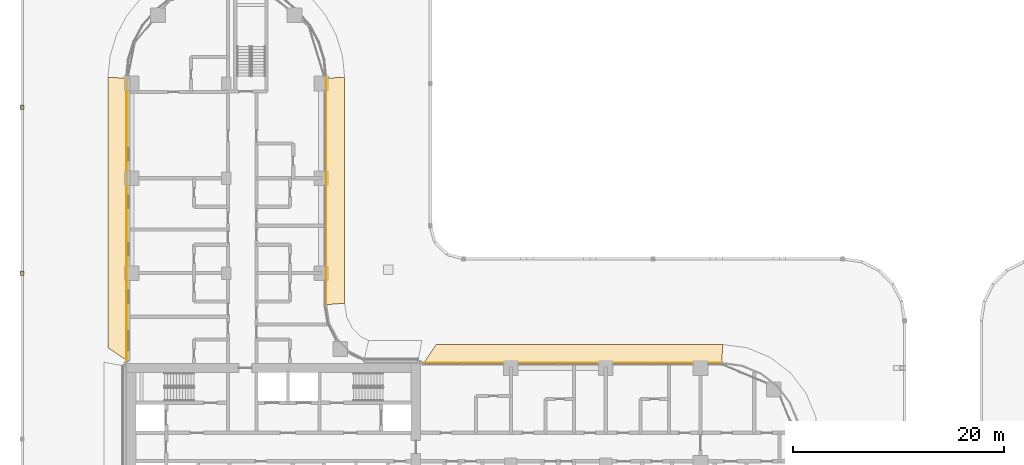
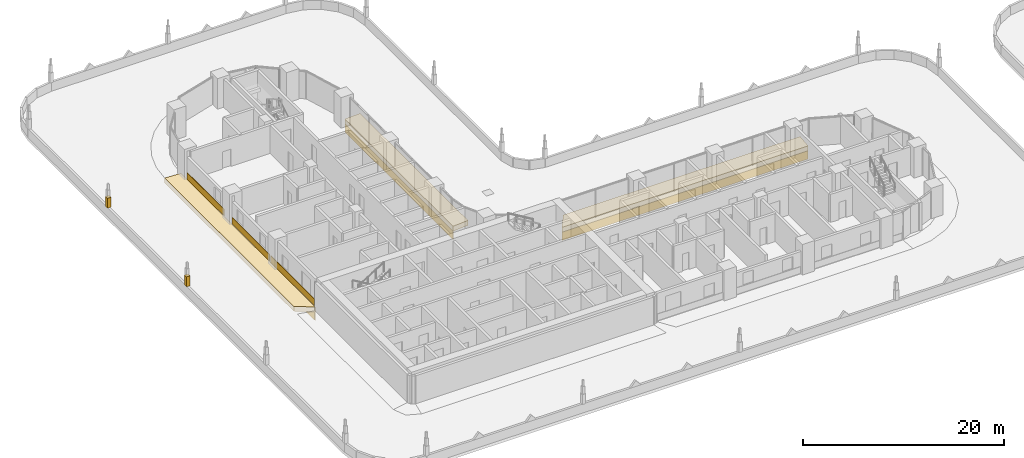
# One storey, part 40 of 51: 11 coverings.
"""IFC4 building model written with IfcOpenShell, lengths in metres."""

from ifc_helpers import new_model, si_unit, direction, frame, origin, origin_2d, place, context, subcontext, project, spatial, polyline, rectangle, outline, extrude, material, layer, layer_set, type_object, element, save


model = new_model("IFC4")

# Units and contexts
model_context = context("Model", 3, precision=1e-05, world=origin(), true_north=direction((0.0, 1.0)))
body_context = subcontext(model_context, "Body", "Model", "MODEL_VIEW")
ifc_project = project(units=[si_unit("LENGTHUNIT", "METRE"), si_unit("AREAUNIT", "SQUARE_METRE"), si_unit("VOLUMEUNIT", "CUBIC_METRE"), si_unit("PLANEANGLEUNIT", "RADIAN"), si_unit("MASSUNIT", "GRAM", prefix="KILO")], contexts=[model_context])

# Site, building, storey
site_placement = place(None, origin())
site = spatial("IfcSite", under=ifc_project, at=site_placement, CompositionType="ELEMENT")
building_placement = place(site_placement, origin())
building = spatial("IfcBuilding", under=site, at=building_placement, Name="Ogive Portal Towers", CompositionType="ELEMENT")
storey_placement = place(building_placement, frame((0.0, 0.0, 33.5)))
storey = spatial("IfcBuildingStorey", under=building, at=storey_placement, Name="L06", CompositionType="ELEMENT", Elevation=33.5)

# Coverings
ifc_material = material(Name="Limestone cladding on lightweight block wall", Category="masonry")
ifc_layer_1 = layer(ifc_material, 0.39990234375)
ifc_layer_set_1 = layer_set([ifc_layer_1], Name="PINNACLE SHAFT STONE")
covering_type_1 = type_object("IfcCoveringType", Name="PINNACLE SHAFT STONE", PredefinedType="CLADDING", material=ifc_layer_set_1)
for number, where, z_axis, x_axis, name in (
    (1, (21.125, 64.240234375, 1.10009765625), (0.0, 0.0, 1.0), (1.0, 0.0, 0.0), "PINNACLE"),
    (2, (21.125, 48.5, 1.10009765625), (0.0, 0.0, 1.0), (1.0, 0.0, 0.0), "PINNACLE"),
):
    element("IfcCovering", number, at=place(storey_placement, frame(where, z_axis=z_axis, x_axis=x_axis)), inside=storey, type_object=covering_type_1, Name=name, PredefinedType="CLADDING", context=body_context, shape_type="SweptSolid", body=[
        extrude(rectangle(XDim=0.39990234375, YDim=0.39990234375, at=origin_2d()), origin(), (0.0, 0.0, 1.0), 1.199951171875),
    ])
ifc_layer_2 = layer(ifc_material, 0.050048828125)
ifc_layer_set_2 = layer_set([ifc_layer_2], Name="SCREEN PERFORATED STONE")
covering_type_2 = type_object("IfcCoveringType", Name="SCREEN PERFORATED STONE", PredefinedType="CLADDING", material=ifc_layer_set_2)
for number, where, z_axis, x_axis, name in (
    (3, (31.050048828125, 62.0, 0.10009765625), (0.0, 0.0, 1.0), (0.0, -1.0, 0.0), "Tracery screen"),
    (4, (31.050048828125, 53.0, 0.10009765625), (0.0, 0.0, 1.0), (0.0, -1.0, 0.0), "Tracery screen"),
):
    element("IfcCovering", number, at=place(storey_placement, frame(where, z_axis=z_axis, x_axis=x_axis)), inside=storey, type_object=covering_type_2, Name=name, PredefinedType="CLADDING", context=body_context, shape_type="SweptSolid", body=[
        extrude(rectangle(XDim=7.39990234375, YDim=0.050048828125, at=origin_2d()), origin(), (0.0, 0.0, 1.0), 0.800048828125),
    ])
covering_1_placement = place(storey_placement, frame((31.050048828125, 44.690185546875, 0.10009765625), z_axis=(0.0, 0.0, 1.0), x_axis=(0.0, -1.0, 0.0)))
element("IfcCovering", 5, at=covering_1_placement, inside=storey, type_object=covering_type_2, Name="Tracery screen", PredefinedType="CLADDING", context=body_context, shape_type="SweptSolid", body=[
    extrude(rectangle(XDim=8.819580078125, YDim=0.050048828125, at=origin_2d()), origin(), (0.0, 0.0, 1.0), 0.800048828125),
])
ifc_layer_3 = layer(ifc_material, 0.080078125)
ifc_layer_set_3 = layer_set([ifc_layer_3], Name="STONE SPANDREL 80")
covering_type_3 = type_object("IfcCoveringType", Name="STONE SPANDREL 80", PredefinedType="CLADDING", material=ifc_layer_set_3)
covering_2_placement = place(storey_placement, frame((0.0, 0.0, -1.60009765625)))
element("IfcCovering", 6, at=covering_2_placement, inside=storey, type_object=covering_type_3, Name="Stone spandrel A1-F04", PredefinedType="CLADDING", context=body_context, shape_type="SweptSolid", body=[
    extrude(outline(polyline([(49.925048828125, 45.5), (49.925048828125, 67.0), (50.0048828125, 67.00390625), (50.0048828125, 45.50634765625), (49.925048828125, 45.5)])), origin(), (0.0, 0.0, 1.0), 1.0),
])
covering_3_placement = place(storey_placement, frame((0.0, 0.0, -1.60009765625)))
element("IfcCovering", 7, at=covering_3_placement, inside=storey, type_object=covering_type_3, Name="Stone spandrel A1-F06", PredefinedType="CLADDING", context=body_context, shape_type="SweptSolid", body=[
    extrude(outline(polyline([(31.074951171875, 67.0), (31.074951171875, 40.206787109375), (30.9951171875, 40.26025390625), (30.9951171875, 67.00390625), (31.074951171875, 67.0)])), origin(), (0.0, 0.0, 1.0), 1.0),
])
covering_4_placement = place(storey_placement, frame((0.0, 0.0, -1.60009765625)))
element("IfcCovering", 8, at=covering_4_placement, inside=storey, type_object=covering_type_3, Name="Stone spandrel A1-F16", PredefinedType="CLADDING", context=body_context, shape_type="SweptSolid", body=[
    extrude(outline(polyline([(87.5, 39.925048828125), (59.206787109375, 39.925048828125), (59.26025390625, 40.0048828125), (87.505126953125, 40.0048828125), (87.5, 39.925048828125)])), origin(), (0.0, 0.0, 1.0), 1.0),
])
ifc_layer_4 = layer(ifc_material, 0.60009765625)
ifc_layer_set_4 = layer_set([ifc_layer_4], Name="SUNSHADE LIP 600")
covering_type_4 = type_object("IfcCoveringType", Name="SUNSHADE LIP 600", PredefinedType="CLADDING", material=ifc_layer_set_4)
covering_5_placement = place(storey_placement, frame((0.0, 0.0, -0.60009765625)))
element("IfcCovering", 9, at=covering_5_placement, inside=storey, type_object=covering_type_4, Name="Sunshade lip A1-F04", PredefinedType="CLADDING", context=body_context, shape_type="SweptSolid", body=[
    extrude(outline(polyline([(49.925048828125, 45.5), (49.925048828125, 67.0), (51.72509765625, 67.08837890625), (51.72509765625, 45.6416015625), (49.925048828125, 45.5)])), origin(), (0.0, 0.0, 1.0), 0.60009765625),
])
covering_6_placement = place(storey_placement, frame((0.0, 0.0, -0.60009765625)))
element("IfcCovering", 10, at=covering_6_placement, inside=storey, type_object=covering_type_4, Name="Sunshade lip A1-F06", PredefinedType="CLADDING", context=body_context, shape_type="SweptSolid", body=[
    extrude(outline(polyline([(31.074951171875, 67.0), (31.074951171875, 40.206787109375), (29.27490234375, 41.409423828125), (29.27490234375, 67.08837890625), (31.074951171875, 67.0)])), origin(), (0.0, 0.0, 1.0), 0.60009765625),
])
covering_7_placement = place(storey_placement, frame((0.0, 0.0, -0.60009765625)))
element("IfcCovering", 11, at=covering_7_placement, inside=storey, type_object=covering_type_4, Name="Sunshade lip A1-F16", PredefinedType="CLADDING", context=body_context, shape_type="SweptSolid", body=[
    extrude(outline(polyline([(87.5, 39.925048828125), (59.206787109375, 39.925048828125), (60.409423828125, 41.72509765625), (87.617919921875, 41.72509765625), (87.5, 39.925048828125)])), origin(), (0.0, 0.0, 1.0), 0.60009765625),
])

save(model, "model.ifc")
